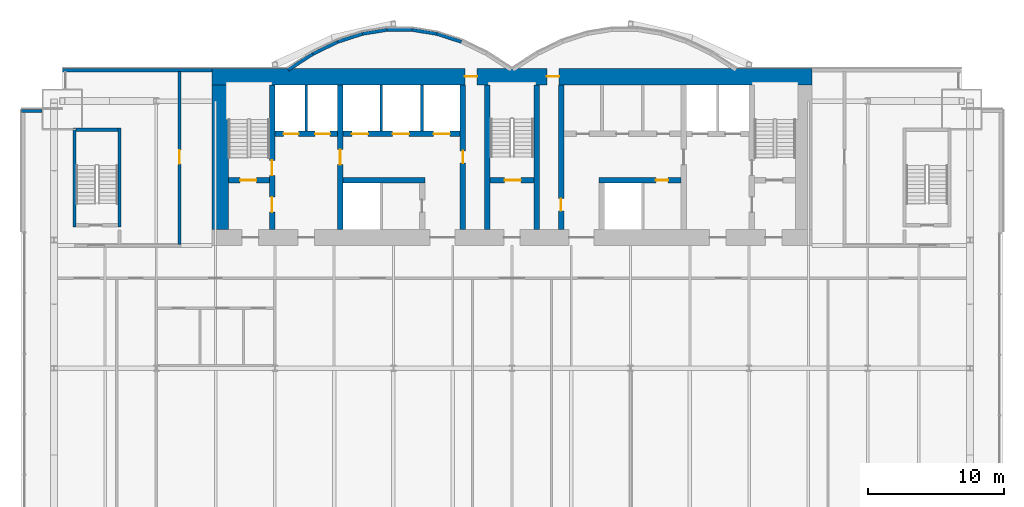
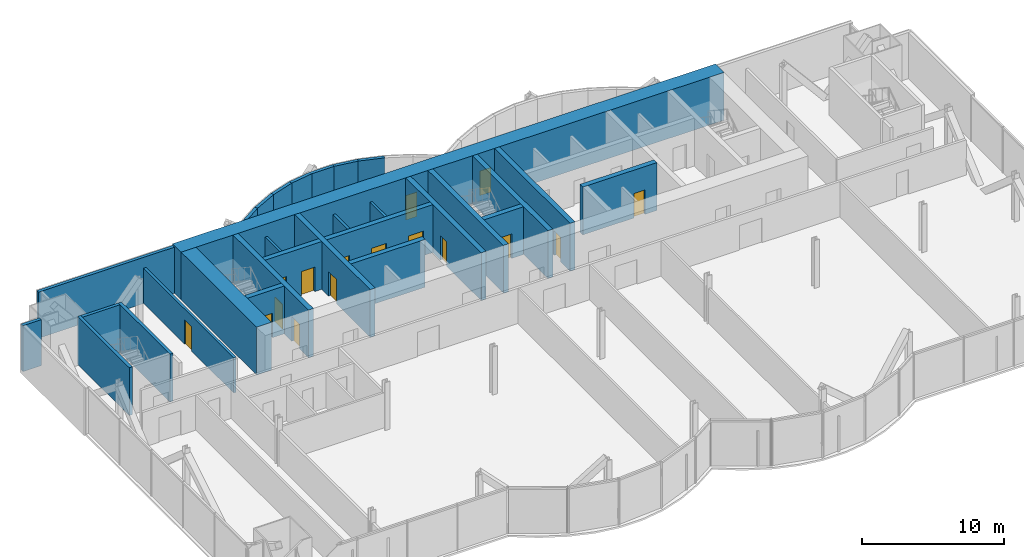
# One storey, part 16 of 21: 29 walls, 16 doors, 16 openings.
"""IFC4 building model written with IfcOpenShell, lengths in metres."""

from ifc_helpers import new_model, si_unit, direction, frame, frame_2d, origin, place, context, subcontext, project, spatial, rectangle, extrude, material, layer, layer_set, layer_usage, type_object, element, fill, save


model = new_model("IFC4")

# Units and contexts
model_context = context("Model", 3, precision=1e-05, world=origin(), true_north=direction((0.0, 1.0)))
body_context = subcontext(model_context, "Body", "Model", "MODEL_VIEW")
ifc_project = project(units=[si_unit("LENGTHUNIT", "METRE"), si_unit("AREAUNIT", "SQUARE_METRE"), si_unit("VOLUMEUNIT", "CUBIC_METRE"), si_unit("PLANEANGLEUNIT", "RADIAN"), si_unit("MASSUNIT", "GRAM", prefix="KILO")], contexts=[model_context])

# Site, building, storey
site_placement = place(None, origin())
site = spatial("IfcSite", under=ifc_project, at=site_placement, CompositionType="ELEMENT")
building_placement = place(site_placement, origin())
building = spatial("IfcBuilding", under=site, at=building_placement, Name="Bicima Exchange Tower", CompositionType="ELEMENT")
storey_placement = place(building_placement, frame((0.0, 0.0, 114.5)))
storey = spatial("IfcBuildingStorey", under=building, at=storey_placement, Name="L24", CompositionType="ELEMENT", Elevation=114.5)

# Walls
ifc_material_1 = material(Name="Gypsum board partition")
ifc_layer_1 = layer(ifc_material_1, 0.199951171875)
ifc_layer_set_1 = layer_set([ifc_layer_1], Name="Gypsum board partition")
wall_type_1 = type_object("IfcWallType", Name="Fire-rated gypsum partition 200 EI120", PredefinedType="PARTITIONING", material=ifc_layer_set_1)
for number, where, z_axis, x_axis, name in (
    (1, (-15.10009765625, -4.60009765625, 0.0), (0.0, 0.0, 1.0), (0.0, 1.0, 0.0), "partition wall 9"),
    (2, (-9.60009765625, -4.60009765625, 0.0), (0.0, 0.0, 1.0), (0.0, 1.0, 0.0), "partition wall 12"),
    (3, (-6.60009765625, -4.60009765625, 0.0), (0.0, 0.0, 1.0), (0.0, 1.0, 0.0), "partition wall 14"),
):
    element("IfcWall", number, at=place(storey_placement, frame(where, z_axis=z_axis, x_axis=x_axis)), inside=storey, type_object=wall_type_1, Name=name, PredefinedType="PARTITIONING", context=body_context, shape_type="SweptSolid", body=[
        extrude(rectangle(XDim=3.400146484375, YDim=0.199951171875, at=frame_2d((1.7001953125, 0.0))), origin(), (0.0, 0.0, 1.0), 3.018310546875),
    ])

# Wall, opening, door
ifc_layer_2 = layer(ifc_material_1, 0.199951171875)
ifc_layer_set_2 = layer_set([ifc_layer_2], Name="Gypsum board partition")
wall_type_2 = type_object("IfcWallType", Name="Fire-rated gypsum partition 200 EI60", PredefinedType="PARTITIONING", material=ifc_layer_set_2)
wall_1_placement = place(storey_placement, frame((-24.39990234375, -12.89990234375, 0.0), z_axis=(0.0, 0.0, 1.0), x_axis=(0.0, 1.0, 0.0)))
wall_1 = element("IfcWall", 4, at=wall_1_placement, inside=storey, type_object=wall_type_2, Name="partition wall 16", PredefinedType="PARTITIONING", context=body_context, shape_type="SweptSolid", body=[
    extrude(rectangle(XDim=12.68994140625, YDim=0.199951171875, at=frame_2d((6.344970703125, 0.0))), origin(), (0.0, 0.0, 1.0), 3.018310546875),
])
opening_1_placement = place(wall_1_placement, frame((5.89990234375, 0.0, 0.0)))
opening_1 = element("IfcOpeningElement", 5, at=opening_1_placement, cuts=wall_1, Name="Opening L24-005", PredefinedType="OPENING", context=body_context, shape_type="SweptSolid", body=[
    extrude(rectangle(XDim=1.0, YDim=2.10009765625, at=frame_2d((0.5, 1.050048828125))), frame((0.0, 0.11181640625, 0.0), z_axis=(0.0, -1.0, 0.0), x_axis=(1.0, 0.0, 0.0)), (0.0, 0.0, 1.0), 0.223876953125),
])
ifc_material_2 = material(Name="Steel fire door leaf", Category="steel")
door_type_1 = type_object("IfcDoorType", Name="Door 1000 swing FD30S", OperationType="SINGLE_SWING_LEFT", PredefinedType="DOOR", material=ifc_material_2)
door_1_placement = place(opening_1_placement, origin())
door_1 = element("IfcDoor", 6, at=door_1_placement, inside=storey, type_object=door_type_1, Name="Door", OperationType="SINGLE_SWING_LEFT", OverallHeight=2.10009765625, OverallWidth=1.0, PredefinedType="DOOR", context=body_context, shape_type="SweptSolid", body=[
    extrude(rectangle(XDim=1.0, YDim=2.10009765625, at=frame_2d((0.5, 1.050048828125))), frame((0.0, 0.02490234375, 0.0), z_axis=(0.0, -1.0, 0.0), x_axis=(1.0, 0.0, 0.0)), (0.0, 0.0, 1.0), 0.050048828125),
])
fill(opening_1, door_1)

# Wall, openings, doors
ifc_material_3 = material(Name="Concrete C60/75", Category="concrete")
ifc_layer_3 = layer(ifc_material_3, 1.199951171875)
ifc_layer_set_3 = layer_set([ifc_layer_3], Name="Concrete C60/75")
wall_type_3 = type_object("IfcWallType", Name="RC core wall 1200 C60/75", PredefinedType="SHEAR", material=ifc_layer_set_3)
wall_2_placement = place(storey_placement, frame((-22.0, -0.60009765625, 0.0), z_axis=(0.0, 0.0, 1.0), x_axis=(1.0, 0.0, 0.0)))
wall_2 = element("IfcWall", 7, at=wall_2_placement, inside=storey, type_object=wall_type_3, Name="Core wall north", PredefinedType="SHEAR", context=body_context, shape_type="SweptSolid", body=[
    extrude(rectangle(XDim=44.0, YDim=1.199951171875, at=frame_2d((22.0, 0.0))), origin(), (0.0, 0.0, 1.0), 4.10009765625),
])
opening_2_placement = place(wall_2_placement, frame((18.550048828125, 0.0, 0.0)))
opening_2 = element("IfcOpeningElement", 8, at=opening_2_placement, cuts=wall_2, Name="Opening L24-C17", PredefinedType="OPENING", context=body_context, shape_type="SweptSolid", body=[
    extrude(rectangle(XDim=0.89990234375, YDim=2.10009765625, at=frame_2d((0.449951171875, 1.050048828125))), frame((0.0, 0.61181640625, 0.0), z_axis=(0.0, -1.0, 0.0), x_axis=(1.0, 0.0, 0.0)), (0.0, 0.0, 1.0), 1.223876953125),
])
opening_3_placement = place(wall_2_placement, frame((24.550048828125, 0.0, 0.0)))
opening_3 = element("IfcOpeningElement", 9, at=opening_3_placement, cuts=wall_2, Name="Opening L24-C18", PredefinedType="OPENING", context=body_context, shape_type="SweptSolid", body=[
    extrude(rectangle(XDim=0.89990234375, YDim=2.10009765625, at=frame_2d((0.449951171875, 1.050048828125))), frame((0.0, 0.61181640625, 0.0), z_axis=(0.0, -1.0, 0.0), x_axis=(1.0, 0.0, 0.0)), (0.0, 0.0, 1.0), 1.223876953125),
])
door_type_2 = type_object("IfcDoorType", Name="Door 900 swing FD30S", OperationType="SINGLE_SWING_LEFT", PredefinedType="DOOR", material=ifc_material_2)
door_2_placement = place(opening_2_placement, origin())
door_2 = element("IfcDoor", 10, at=door_2_placement, inside=storey, type_object=door_type_2, Name="Core door", OperationType="SINGLE_SWING_LEFT", OverallHeight=2.10009765625, OverallWidth=0.89990234375, PredefinedType="DOOR", context=body_context, shape_type="SweptSolid", body=[
    extrude(rectangle(XDim=0.89990234375, YDim=2.10009765625, at=frame_2d((0.449951171875, 1.050048828125))), frame((0.0, 0.02490234375, 0.0), z_axis=(0.0, -1.0, 0.0), x_axis=(1.0, 0.0, 0.0)), (0.0, 0.0, 1.0), 0.050048828125),
])
fill(opening_2, door_2)
door_3_placement = place(opening_3_placement, origin())
door_3 = element("IfcDoor", 11, at=door_3_placement, inside=storey, type_object=door_type_2, Name="Core door", OperationType="SINGLE_SWING_LEFT", OverallHeight=2.10009765625, OverallWidth=0.89990234375, PredefinedType="DOOR", context=body_context, shape_type="SweptSolid", body=[
    extrude(rectangle(XDim=0.89990234375, YDim=2.10009765625, at=frame_2d((0.449951171875, 1.050048828125))), frame((0.0, 0.02490234375, 0.0), z_axis=(0.0, -1.0, 0.0), x_axis=(1.0, 0.0, 0.0)), (0.0, 0.0, 1.0), 0.050048828125),
])
fill(opening_3, door_3)

# Wall
wall_3_placement = place(storey_placement, frame((-21.39990234375, -11.800048828125, 0.0), z_axis=(0.0, 0.0, 1.0), x_axis=(0.0, 1.0, 0.0)))
element("IfcWall", 12, at=wall_3_placement, inside=storey, type_object=wall_type_3, Name="Core wall west", PredefinedType="SHEAR", context=body_context, shape_type="SweptSolid", body=[
    extrude(rectangle(XDim=10.60009765625, YDim=1.199951171875, at=frame_2d((5.300048828125, 0.0))), origin(), (0.0, 0.0, 1.0), 4.10009765625),
])

# Wall, opening, door
ifc_material_4 = material(Name="Concrete C50/60", Category="concrete")
ifc_layer_4 = layer(ifc_material_4, 0.39990234375)
ifc_layer_set_4 = layer_set([ifc_layer_4], Name="Concrete C50/60")
wall_type_4 = type_object("IfcWallType", Name="RC core wall 400 C50/60", PredefinedType="SHEAR", material=ifc_layer_set_4)
wall_4_placement = place(storey_placement, frame((-20.800048828125, -8.199951171875, 0.0), z_axis=(0.0, 0.0, 1.0), x_axis=(1.0, 0.0, 0.0)))
wall_4 = element("IfcWall", 13, at=wall_4_placement, inside=storey, type_object=wall_type_4, Name="stair wall 1", PredefinedType="SHEAR", context=body_context, shape_type="SweptSolid", body=[
    extrude(rectangle(XDim=3.0, YDim=0.39990234375, at=frame_2d((1.5, 0.0))), origin(), (0.0, 0.0, 1.0), 4.10009765625),
])
opening_4_placement = place(wall_4_placement, frame((0.85009765625, 0.0, 0.0)))
opening_4 = element("IfcOpeningElement", 14, at=opening_4_placement, cuts=wall_4, Name="Opening L24-C01", PredefinedType="OPENING", context=body_context, shape_type="SweptSolid", body=[
    extrude(rectangle(XDim=1.199951171875, YDim=2.10009765625, at=frame_2d((0.60009765625, 1.050048828125))), frame((0.0, 0.2119140625, 0.0), z_axis=(0.0, -1.0, 0.0), x_axis=(1.0, 0.0, 0.0)), (0.0, 0.0, 1.0), 0.423828125),
])
door_type_3 = type_object("IfcDoorType", Name="Door 1200 swing FD60S", OperationType="SINGLE_SWING_LEFT", PredefinedType="DOOR", material=ifc_material_2)
door_4_placement = place(opening_4_placement, origin())
door_4 = element("IfcDoor", 15, at=door_4_placement, inside=storey, type_object=door_type_3, Name="Core door", OperationType="SINGLE_SWING_LEFT", OverallHeight=2.10009765625, OverallWidth=1.199951171875, PredefinedType="DOOR", context=body_context, shape_type="SweptSolid", body=[
    extrude(rectangle(XDim=1.199951171875, YDim=2.10009765625, at=frame_2d((0.60009765625, 1.050048828125))), frame((0.0, 0.02490234375, 0.0), z_axis=(0.0, -1.0, 0.0), x_axis=(1.0, 0.0, 0.0)), (0.0, 0.0, 1.0), 0.050048828125),
])
fill(opening_4, door_4)

wall_5_placement = place(storey_placement, frame((-1.60009765625, -8.199951171875, 0.0), z_axis=(0.0, 0.0, 1.0), x_axis=(1.0, 0.0, 0.0)))
wall_5 = element("IfcWall", 16, at=wall_5_placement, inside=storey, type_object=wall_type_4, Name="stair wall 3", PredefinedType="SHEAR", context=body_context, shape_type="SweptSolid", body=[
    extrude(rectangle(XDim=3.2001953125, YDim=0.39990234375, at=frame_2d((1.60009765625, 0.0))), origin(), (0.0, 0.0, 1.0), 4.10009765625),
])
opening_5_placement = place(wall_5_placement, frame((1.050048828125, 0.0, 0.0)))
opening_5 = element("IfcOpeningElement", 17, at=opening_5_placement, cuts=wall_5, Name="Opening L24-C03", PredefinedType="OPENING", context=body_context, shape_type="SweptSolid", body=[
    extrude(rectangle(XDim=1.199951171875, YDim=2.10009765625, at=frame_2d((0.60009765625, 1.050048828125))), frame((0.0, 0.2119140625, 0.0), z_axis=(0.0, -1.0, 0.0), x_axis=(1.0, 0.0, 0.0)), (0.0, 0.0, 1.0), 0.423828125),
])
door_5_placement = place(opening_5_placement, origin())
door_5 = element("IfcDoor", 18, at=door_5_placement, inside=storey, type_object=door_type_3, Name="Core door", OperationType="SINGLE_SWING_LEFT", OverallHeight=2.10009765625, OverallWidth=1.199951171875, PredefinedType="DOOR", context=body_context, shape_type="SweptSolid", body=[
    extrude(rectangle(XDim=1.199951171875, YDim=2.10009765625, at=frame_2d((0.60009765625, 1.050048828125))), frame((0.0, 0.02490234375, 0.0), z_axis=(0.0, -1.0, 0.0), x_axis=(1.0, 0.0, 0.0)), (0.0, 0.0, 1.0), 0.050048828125),
])
fill(opening_5, door_5)

# Wall, openings, doors
wall_6_placement = place(storey_placement, frame((-17.60009765625, -11.800048828125, 0.0), z_axis=(0.0, 0.0, 1.0), x_axis=(0.0, 1.0, 0.0)))
wall_6 = element("IfcWall", 19, at=wall_6_placement, inside=storey, type_object=wall_type_4, Name="stair wall 8", PredefinedType="SHEAR", context=body_context, shape_type="SweptSolid", body=[
    extrude(rectangle(XDim=10.60009765625, YDim=0.39990234375, at=frame_2d((5.300048828125, 0.0))), origin(), (0.0, 0.0, 1.0), 4.10009765625),
])
opening_6_placement = place(wall_6_placement, frame((1.25, 0.0, 0.0)))
opening_6 = element("IfcOpeningElement", 20, at=opening_6_placement, cuts=wall_6, Name="Opening L24-C02", PredefinedType="OPENING", context=body_context, shape_type="SweptSolid", body=[
    extrude(rectangle(XDim=1.10009765625, YDim=2.10009765625, at=frame_2d((0.550048828125, 1.050048828125))), frame((0.0, 0.2119140625, 0.0), z_axis=(0.0, -1.0, 0.0), x_axis=(1.0, 0.0, 0.0)), (0.0, 0.0, 1.0), 0.423828125),
])
opening_7_placement = place(wall_6_placement, frame((3.949951171875, 0.0, 0.0)))
opening_7 = element("IfcOpeningElement", 21, at=opening_7_placement, cuts=wall_6, Name="Opening L24-C06", PredefinedType="OPENING", context=body_context, shape_type="SweptSolid", body=[
    extrude(rectangle(XDim=1.10009765625, YDim=2.10009765625, at=frame_2d((0.550048828125, 1.050048828125))), frame((0.0, 0.2119140625, 0.0), z_axis=(0.0, -1.0, 0.0), x_axis=(1.0, 0.0, 0.0)), (0.0, 0.0, 1.0), 0.423828125),
])
door_type_4 = type_object("IfcDoorType", Name="Door 1100 swing FD60S", OperationType="SINGLE_SWING_LEFT", PredefinedType="DOOR", material=ifc_material_2)
door_6_placement = place(opening_6_placement, frame((1.10009765625, 0.0, 0.0), z_axis=(0.0, 0.0, 1.0), x_axis=(-1.0, 0.0, 0.0)))
door_6 = element("IfcDoor", 22, at=door_6_placement, inside=storey, type_object=door_type_4, Name="Core door", OperationType="SINGLE_SWING_LEFT", OverallHeight=2.10009765625, OverallWidth=1.10009765625, PredefinedType="DOOR", context=body_context, shape_type="SweptSolid", body=[
    extrude(rectangle(XDim=1.10009765625, YDim=2.10009765625, at=frame_2d((0.550048828125, 1.050048828125))), frame((0.0, 0.02490234375, 0.0), z_axis=(0.0, -1.0, 0.0), x_axis=(1.0, 0.0, 0.0)), (0.0, 0.0, 1.0), 0.050048828125),
])
fill(opening_6, door_6)
door_7_placement = place(opening_7_placement, frame((1.10009765625, 0.0, 0.0), z_axis=(0.0, 0.0, 1.0), x_axis=(-1.0, 0.0, 0.0)))
door_7 = element("IfcDoor", 23, at=door_7_placement, inside=storey, type_object=door_type_4, Name="Core door", OperationType="SINGLE_SWING_LEFT", OverallHeight=2.10009765625, OverallWidth=1.10009765625, PredefinedType="DOOR", context=body_context, shape_type="SweptSolid", body=[
    extrude(rectangle(XDim=1.10009765625, YDim=2.10009765625, at=frame_2d((0.550048828125, 1.050048828125))), frame((0.0, 0.02490234375, 0.0), z_axis=(0.0, -1.0, 0.0), x_axis=(1.0, 0.0, 0.0)), (0.0, 0.0, 1.0), 0.050048828125),
])
fill(opening_7, door_7)

# Walls
for number, where, z_axis, x_axis, name in (
    (24, (-1.800048828125, -11.800048828125, 0.0), (0.0, 0.0, 1.0), (0.0, 1.0, 0.0), "stair wall 16"),
    (25, (1.800048828125, -11.800048828125, 0.0), (0.0, 0.0, 1.0), (0.0, 1.0, 0.0), "stair wall 17"),
):
    element("IfcWall", number, at=place(storey_placement, frame(where, z_axis=z_axis, x_axis=x_axis)), inside=storey, type_object=wall_type_4, Name=name, PredefinedType="SHEAR", context=body_context, shape_type="SweptSolid", body=[
        extrude(rectangle(XDim=10.60009765625, YDim=0.39990234375, at=frame_2d((5.300048828125, 0.0))), origin(), (0.0, 0.0, 1.0), 4.10009765625),
    ])
ifc_layer_5 = layer(ifc_material_3, 0.39990234375)
ifc_layer_set_5 = layer_set([ifc_layer_5], Name="Concrete C60/75")
wall_type_5 = type_object("IfcWallType", Name="RC core wall 400 C60/75", PredefinedType="SHEAR", material=ifc_layer_set_5)
wall_7_placement = place(storey_placement, frame((-12.39990234375, -8.199951171875, 0.0), z_axis=(0.0, 0.0, 1.0), x_axis=(1.0, 0.0, 0.0)))
element("IfcWall", 26, at=wall_7_placement, inside=storey, type_object=wall_type_5, Name="shear wall 2", PredefinedType="SHEAR", context=body_context, shape_type="SweptSolid", body=[
    extrude(rectangle(XDim=6.0, YDim=0.39990234375, at=frame_2d((3.0, 0.0))), origin(), (0.0, 0.0, 1.0), 4.10009765625),
])

# Wall, opening, door
wall_8_placement = place(storey_placement, frame((6.39990234375, -8.199951171875, 0.0), z_axis=(0.0, 0.0, 1.0), x_axis=(1.0, 0.0, 0.0)))
wall_8 = element("IfcWall", 27, at=wall_8_placement, inside=storey, type_object=wall_type_5, Name="shear wall 4", PredefinedType="SHEAR", context=body_context, shape_type="SweptSolid", body=[
    extrude(rectangle(XDim=6.0, YDim=0.39990234375, at=frame_2d((3.0, 0.0))), origin(), (0.0, 0.0, 1.0), 4.10009765625),
])
opening_8_placement = place(wall_8_placement, frame((4.14990234375, 0.0, 0.0)))
opening_8 = element("IfcOpeningElement", 28, at=opening_8_placement, cuts=wall_8, Name="Opening L24-C16", PredefinedType="OPENING", context=body_context, shape_type="SweptSolid", body=[
    extrude(rectangle(XDim=0.89990234375, YDim=2.10009765625, at=frame_2d((0.449951171875, 1.050048828125))), frame((0.0, 0.2119140625, 0.0), z_axis=(0.0, -1.0, 0.0), x_axis=(1.0, 0.0, 0.0)), (0.0, 0.0, 1.0), 0.423828125),
])
door_8_placement = place(opening_8_placement, frame((0.89990234375, 0.0, 0.0), z_axis=(0.0, 0.0, 1.0), x_axis=(-1.0, 0.0, 0.0)))
door_8 = element("IfcDoor", 29, at=door_8_placement, inside=storey, type_object=door_type_2, Name="Core door", OperationType="SINGLE_SWING_LEFT", OverallHeight=2.10009765625, OverallWidth=0.89990234375, PredefinedType="DOOR", context=body_context, shape_type="SweptSolid", body=[
    extrude(rectangle(XDim=0.89990234375, YDim=2.10009765625, at=frame_2d((0.449951171875, 1.050048828125))), frame((0.0, 0.02490234375, 0.0), z_axis=(0.0, -1.0, 0.0), x_axis=(1.0, 0.0, 0.0)), (0.0, 0.0, 1.0), 0.050048828125),
])
fill(opening_8, door_8)

# Wall, openings, doors
wall_9_placement = place(storey_placement, frame((-17.39990234375, -4.800048828125, 0.0), z_axis=(0.0, 0.0, 1.0), x_axis=(1.0, 0.0, 0.0)))
wall_9 = element("IfcWall", 30, at=wall_9_placement, inside=storey, type_object=wall_type_5, Name="shear wall 6", PredefinedType="SHEAR", context=body_context, shape_type="SweptSolid", body=[
    extrude(rectangle(XDim=13.599853515625, YDim=0.39990234375, at=frame_2d((6.7998046875, 0.0))), origin(), (0.0, 0.0, 1.0), 4.10009765625),
])
opening_9_placement = place(wall_9_placement, frame((0.64990234375, 0.0, 0.0)))
opening_9 = element("IfcOpeningElement", 31, at=opening_9_placement, cuts=wall_9, Name="Opening LD-FF1-L24", PredefinedType="OPENING", context=body_context, shape_type="SweptSolid", body=[
    extrude(rectangle(XDim=1.10009765625, YDim=2.10009765625, at=frame_2d((0.550048828125, 1.050048828125))), frame((0.0, 0.2119140625, 0.0), z_axis=(0.0, -1.0, 0.0), x_axis=(1.0, 0.0, 0.0)), (0.0, 0.0, 1.0), 0.423828125),
])
opening_10_placement = place(wall_9_placement, frame((2.949951171875, 0.0, 0.0)))
opening_10 = element("IfcOpeningElement", 32, at=opening_10_placement, cuts=wall_9, Name="Opening LD-FF3-L24", PredefinedType="OPENING", context=body_context, shape_type="SweptSolid", body=[
    extrude(rectangle(XDim=1.10009765625, YDim=2.10009765625, at=frame_2d((0.550048828125, 1.050048828125))), frame((0.0, 0.2119140625, 0.0), z_axis=(0.0, -1.0, 0.0), x_axis=(1.0, 0.0, 0.0)), (0.0, 0.0, 1.0), 0.423828125),
])
opening_11_placement = place(wall_9_placement, frame((5.64990234375, 0.0, 0.0)))
opening_11 = element("IfcOpeningElement", 33, at=opening_11_placement, cuts=wall_9, Name="Opening LD-LB1-L24", PredefinedType="OPENING", context=body_context, shape_type="SweptSolid", body=[
    extrude(rectangle(XDim=1.199951171875, YDim=2.10009765625, at=frame_2d((0.60009765625, 1.050048828125))), frame((0.0, 0.2119140625, 0.0), z_axis=(0.0, -1.0, 0.0), x_axis=(1.0, 0.0, 0.0)), (0.0, 0.0, 1.0), 0.423828125),
])
opening_12_placement = place(wall_9_placement, frame((8.64990234375, 0.0, 0.0)))
opening_12 = element("IfcOpeningElement", 34, at=opening_12_placement, cuts=wall_9, Name="Opening LD-LB2-L24", PredefinedType="OPENING", context=body_context, shape_type="SweptSolid", body=[
    extrude(rectangle(XDim=1.199951171875, YDim=2.10009765625, at=frame_2d((0.60009765625, 1.050048828125))), frame((0.0, 0.2119140625, 0.0), z_axis=(0.0, -1.0, 0.0), x_axis=(1.0, 0.0, 0.0)), (0.0, 0.0, 1.0), 0.423828125),
])
opening_13_placement = place(wall_9_placement, frame((11.64990234375, 0.0, 0.0)))
opening_13 = element("IfcOpeningElement", 35, at=opening_13_placement, cuts=wall_9, Name="Opening LD-LB3-L24", PredefinedType="OPENING", context=body_context, shape_type="SweptSolid", body=[
    extrude(rectangle(XDim=1.199951171875, YDim=2.10009765625, at=frame_2d((0.60009765625, 1.050048828125))), frame((0.0, 0.2119140625, 0.0), z_axis=(0.0, -1.0, 0.0), x_axis=(1.0, 0.0, 0.0)), (0.0, 0.0, 1.0), 0.423828125),
])
ifc_material_5 = material(Name="Stainless steel", Category="steel")
door_type_5 = type_object("IfcDoorType", Name="Lift landing door 1100 sliding", OperationType="DOUBLE_DOOR_SLIDING", PredefinedType="DOOR", material=ifc_material_5)
door_9_placement = place(opening_9_placement, origin())
door_9 = element("IfcDoor", 36, at=door_9_placement, inside=storey, type_object=door_type_5, Name="Lift landing door FF1", OperationType="DOUBLE_DOOR_SLIDING", OverallHeight=2.10009765625, OverallWidth=1.10009765625, PredefinedType="DOOR", context=body_context, shape_type="SweptSolid", body=[
    extrude(rectangle(XDim=1.10009765625, YDim=2.10009765625, at=frame_2d((0.550048828125, 1.050048828125))), frame((0.0, 0.02490234375, 0.0), z_axis=(0.0, -1.0, 0.0), x_axis=(1.0, 0.0, 0.0)), (0.0, 0.0, 1.0), 0.050048828125),
])
fill(opening_9, door_9)
door_10_placement = place(opening_10_placement, origin())
door_10 = element("IfcDoor", 37, at=door_10_placement, inside=storey, type_object=door_type_5, Name="Lift landing door FF3", OperationType="DOUBLE_DOOR_SLIDING", OverallHeight=2.10009765625, OverallWidth=1.10009765625, PredefinedType="DOOR", context=body_context, shape_type="SweptSolid", body=[
    extrude(rectangle(XDim=1.10009765625, YDim=2.10009765625, at=frame_2d((0.550048828125, 1.050048828125))), frame((0.0, 0.02490234375, 0.0), z_axis=(0.0, -1.0, 0.0), x_axis=(1.0, 0.0, 0.0)), (0.0, 0.0, 1.0), 0.050048828125),
])
fill(opening_10, door_10)
door_type_6 = type_object("IfcDoorType", Name="Lift landing door 1200 sliding", OperationType="DOUBLE_DOOR_SLIDING", PredefinedType="DOOR", material=ifc_material_5)
door_11_placement = place(opening_11_placement, origin())
door_11 = element("IfcDoor", 38, at=door_11_placement, inside=storey, type_object=door_type_6, Name="Lift landing door LB1", OperationType="DOUBLE_DOOR_SLIDING", OverallHeight=2.10009765625, OverallWidth=1.199951171875, PredefinedType="DOOR", context=body_context, shape_type="SweptSolid", body=[
    extrude(rectangle(XDim=1.199951171875, YDim=2.10009765625, at=frame_2d((0.60009765625, 1.050048828125))), frame((0.0, 0.02490234375, 0.0), z_axis=(0.0, -1.0, 0.0), x_axis=(1.0, 0.0, 0.0)), (0.0, 0.0, 1.0), 0.050048828125),
])
fill(opening_11, door_11)
door_12_placement = place(opening_12_placement, origin())
door_12 = element("IfcDoor", 39, at=door_12_placement, inside=storey, type_object=door_type_6, Name="Lift landing door LB2", OperationType="DOUBLE_DOOR_SLIDING", OverallHeight=2.10009765625, OverallWidth=1.199951171875, PredefinedType="DOOR", context=body_context, shape_type="SweptSolid", body=[
    extrude(rectangle(XDim=1.199951171875, YDim=2.10009765625, at=frame_2d((0.60009765625, 1.050048828125))), frame((0.0, 0.02490234375, 0.0), z_axis=(0.0, -1.0, 0.0), x_axis=(1.0, 0.0, 0.0)), (0.0, 0.0, 1.0), 0.050048828125),
])
fill(opening_12, door_12)
door_13_placement = place(opening_13_placement, origin())
door_13 = element("IfcDoor", 40, at=door_13_placement, inside=storey, type_object=door_type_6, Name="Lift landing door LB3", OperationType="DOUBLE_DOOR_SLIDING", OverallHeight=2.10009765625, OverallWidth=1.199951171875, PredefinedType="DOOR", context=body_context, shape_type="SweptSolid", body=[
    extrude(rectangle(XDim=1.199951171875, YDim=2.10009765625, at=frame_2d((0.60009765625, 1.050048828125))), frame((0.0, 0.02490234375, 0.0), z_axis=(0.0, -1.0, 0.0), x_axis=(1.0, 0.0, 0.0)), (0.0, 0.0, 1.0), 0.050048828125),
])
fill(opening_13, door_13)

# Wall, opening, door
wall_10_placement = place(storey_placement, frame((-12.60009765625, -11.800048828125, 0.0), z_axis=(0.0, 0.0, 1.0), x_axis=(0.0, 1.0, 0.0)))
wall_10 = element("IfcWall", 41, at=wall_10_placement, inside=storey, type_object=wall_type_5, Name="shear wall 10", PredefinedType="SHEAR", context=body_context, shape_type="SweptSolid", body=[
    extrude(rectangle(XDim=10.60009765625, YDim=0.39990234375, at=frame_2d((5.300048828125, 0.0))), origin(), (0.0, 0.0, 1.0), 4.10009765625),
])
opening_14_placement = place(wall_10_placement, frame((4.75, 0.0, 0.0)))
opening_14 = element("IfcOpeningElement", 42, at=opening_14_placement, cuts=wall_10, Name="Opening L24-C07", PredefinedType="OPENING", context=body_context, shape_type="SweptSolid", body=[
    extrude(rectangle(XDim=1.10009765625, YDim=2.10009765625, at=frame_2d((0.550048828125, 1.050048828125))), frame((0.0, 0.2119140625, 0.0), z_axis=(0.0, -1.0, 0.0), x_axis=(1.0, 0.0, 0.0)), (0.0, 0.0, 1.0), 0.423828125),
])
door_14_placement = place(opening_14_placement, origin())
door_14 = element("IfcDoor", 43, at=door_14_placement, inside=storey, type_object=door_type_4, Name="Core door", OperationType="SINGLE_SWING_LEFT", OverallHeight=2.10009765625, OverallWidth=1.10009765625, PredefinedType="DOOR", context=body_context, shape_type="SweptSolid", body=[
    extrude(rectangle(XDim=1.10009765625, YDim=2.10009765625, at=frame_2d((0.550048828125, 1.050048828125))), frame((0.0, 0.02490234375, 0.0), z_axis=(0.0, -1.0, 0.0), x_axis=(1.0, 0.0, 0.0)), (0.0, 0.0, 1.0), 0.050048828125),
])
fill(opening_14, door_14)

wall_11_placement = place(storey_placement, frame((-3.60009765625, -11.800048828125, 0.0), z_axis=(0.0, 0.0, 1.0), x_axis=(0.0, 1.0, 0.0)))
wall_11 = element("IfcWall", 44, at=wall_11_placement, inside=storey, type_object=wall_type_5, Name="shear wall 15", PredefinedType="SHEAR", context=body_context, shape_type="SweptSolid", body=[
    extrude(rectangle(XDim=10.60009765625, YDim=0.39990234375, at=frame_2d((5.300048828125, 0.0))), origin(), (0.0, 0.0, 1.0), 4.10009765625),
])
opening_15_placement = place(wall_11_placement, frame((4.85009765625, 0.0, 0.0)))
opening_15 = element("IfcOpeningElement", 45, at=opening_15_placement, cuts=wall_11, Name="Opening L24-C10", PredefinedType="OPENING", context=body_context, shape_type="SweptSolid", body=[
    extrude(rectangle(XDim=0.89990234375, YDim=2.10009765625, at=frame_2d((0.449951171875, 1.050048828125))), frame((0.0, 0.2119140625, 0.0), z_axis=(0.0, -1.0, 0.0), x_axis=(1.0, 0.0, 0.0)), (0.0, 0.0, 1.0), 0.423828125),
])
door_15_placement = place(opening_15_placement, frame((0.89990234375, 0.0, 0.0), z_axis=(0.0, 0.0, 1.0), x_axis=(-1.0, 0.0, 0.0)))
door_15 = element("IfcDoor", 46, at=door_15_placement, inside=storey, type_object=door_type_2, Name="Core door", OperationType="SINGLE_SWING_LEFT", OverallHeight=2.10009765625, OverallWidth=0.89990234375, PredefinedType="DOOR", context=body_context, shape_type="SweptSolid", body=[
    extrude(rectangle(XDim=0.89990234375, YDim=2.10009765625, at=frame_2d((0.449951171875, 1.050048828125))), frame((0.0, 0.02490234375, 0.0), z_axis=(0.0, -1.0, 0.0), x_axis=(1.0, 0.0, 0.0)), (0.0, 0.0, 1.0), 0.050048828125),
])
fill(opening_15, door_15)

wall_12_placement = place(storey_placement, frame((3.60009765625, -11.800048828125, 0.0), z_axis=(0.0, 0.0, 1.0), x_axis=(0.0, 1.0, 0.0)))
wall_12 = element("IfcWall", 47, at=wall_12_placement, inside=storey, type_object=wall_type_5, Name="shear wall 18", PredefinedType="SHEAR", context=body_context, shape_type="SweptSolid", body=[
    extrude(rectangle(XDim=10.60009765625, YDim=0.39990234375, at=frame_2d((5.300048828125, 0.0))), origin(), (0.0, 0.0, 1.0), 4.10009765625),
])
opening_16_placement = place(wall_12_placement, frame((1.35009765625, 0.0, 0.0)))
opening_16 = element("IfcOpeningElement", 48, at=opening_16_placement, cuts=wall_12, Name="Opening L24-C11", PredefinedType="OPENING", context=body_context, shape_type="SweptSolid", body=[
    extrude(rectangle(XDim=0.89990234375, YDim=2.10009765625, at=frame_2d((0.449951171875, 1.050048828125))), frame((0.0, 0.2119140625, 0.0), z_axis=(0.0, -1.0, 0.0), x_axis=(1.0, 0.0, 0.0)), (0.0, 0.0, 1.0), 0.423828125),
])
door_16_placement = place(opening_16_placement, origin())
door_16 = element("IfcDoor", 49, at=door_16_placement, inside=storey, type_object=door_type_2, Name="Core door", OperationType="SINGLE_SWING_LEFT", OverallHeight=2.10009765625, OverallWidth=0.89990234375, PredefinedType="DOOR", context=body_context, shape_type="SweptSolid", body=[
    extrude(rectangle(XDim=0.89990234375, YDim=2.10009765625, at=frame_2d((0.449951171875, 1.050048828125))), frame((0.0, 0.02490234375, 0.0), z_axis=(0.0, -1.0, 0.0), x_axis=(1.0, 0.0, 0.0)), (0.0, 0.0, 1.0), 0.050048828125),
])
fill(opening_16, door_16)

# Walls
ifc_layer_6 = layer(ifc_material_4, 0.25)
ifc_layer_set_6 = layer_set([ifc_layer_6], Name="Concrete C50/60")
wall_type_6 = type_object("IfcWallType", Name="RC stair enclosure wall 250 C50/60", PredefinedType="SHEAR", material=ifc_layer_set_6)
for number, where, z_axis, x_axis, name in (
    (50, (-32.10009765625, -11.625, 0.0), (0.0, 0.0, 1.0), (0.0, 1.0, 0.0), "West end exit stair wall W"),
    (51, (-28.800048828125, -11.625, 0.0), (0.0, 0.0, 1.0), (0.0, 1.0, 0.0), "West end exit stair wall E"),
):
    element("IfcWall", number, at=place(storey_placement, frame(where, z_axis=z_axis, x_axis=x_axis)), inside=storey, type_object=wall_type_6, Name=name, PredefinedType="SHEAR", context=body_context, shape_type="SweptSolid", body=[
        extrude(rectangle(XDim=7.25, YDim=0.25, at=frame_2d((3.625, 0.0))), origin(), (0.0, 0.0, 1.0), 4.10009765625),
    ])
wall_13_placement = place(storey_placement, frame((-31.97509765625, -4.5, 0.0), z_axis=(0.0, 0.0, 1.0), x_axis=(1.0, 0.0, 0.0)))
element("IfcWall", 52, at=wall_13_placement, inside=storey, type_object=wall_type_6, Name="West end exit stair wall N", PredefinedType="SHEAR", context=body_context, shape_type="SweptSolid", body=[
    extrude(rectangle(XDim=3.050048828125, YDim=0.25, at=frame_2d((1.52490234375, 0.0))), origin(), (0.0, 0.0, 1.0), 4.10009765625),
])
ifc_material_6 = material(Name="Concrete C40/50", Category="concrete")
ifc_layer_7 = layer(ifc_material_6, 0.25)
ifc_layer_set_7 = layer_set([ifc_layer_7], Name="Concrete C40/50")
ifc_layer_usage = layer_usage(ifc_layer_set_7, "AXIS2", "POSITIVE", -0.125)
wall_type_7 = type_object("IfcWallType", Name="Rear backup wall 250", PredefinedType="STANDARD", material=ifc_layer_set_7)
wall_14_placement = place(storey_placement, frame((-3.705078125, 1.955078125, 0.0), z_axis=(0.0, 0.0, 1.0), x_axis=(-0.951495806175, 0.307661714928, 0.0)))
element("IfcWall", 53, at=wall_14_placement, inside=storey, type_object=wall_type_7, material=ifc_layer_usage, Name="Rear backup wall L24 13", PredefinedType="STANDARD", context=body_context, shape_type="SweptSolid", body=[
    extrude(rectangle(XDim=1.9267578125, YDim=0.25, at=frame_2d((0.96337890625, 0.0))), origin(), (0.0, 0.0, 1.0), 3.949951171875),
])
wall_15_placement = place(storey_placement, frame((-5.52001953125, 2.543212890625, 0.0), z_axis=(0.0, 0.0, 1.0), x_axis=(-0.987181718931, 0.159600293885, 0.0)))
element("IfcWall", 54, at=wall_15_placement, inside=storey, type_object=wall_type_7, material=ifc_layer_usage, Name="Rear backup wall L24 14", PredefinedType="STANDARD", context=body_context, shape_type="SweptSolid", body=[
    extrude(rectangle(XDim=1.857177734375, YDim=0.25, at=frame_2d((0.9287109375, 0.0))), origin(), (0.0, 0.0, 1.0), 3.949951171875),
])
wall_16_placement = place(storey_placement, frame((-7.333251953125, 2.837890625, 0.0), z_axis=(0.0, 0.0, 1.0), x_axis=(-1.0, 0.0, 0.0)))
element("IfcWall", 55, at=wall_16_placement, inside=storey, type_object=wall_type_7, material=ifc_layer_usage, Name="Rear backup wall L24 15", PredefinedType="STANDARD", context=body_context, shape_type="SweptSolid", body=[
    extrude(rectangle(XDim=1.83349609375, YDim=0.25, at=frame_2d((0.916748046875, 0.0))), origin(), (0.0, 0.0, 1.0), 3.949951171875),
])
wall_17_placement = place(storey_placement, frame((-9.146728515625, 2.839599609375, 0.0), z_axis=(0.0, 0.0, 1.0), x_axis=(-0.987181718931, -0.159600293885, 0.0)))
element("IfcWall", 56, at=wall_17_placement, inside=storey, type_object=wall_type_7, material=ifc_layer_usage, Name="Rear backup wall L24 16", PredefinedType="STANDARD", context=body_context, shape_type="SweptSolid", body=[
    extrude(rectangle(XDim=1.857177734375, YDim=0.25, at=frame_2d((0.9287109375, 0.0))), origin(), (0.0, 0.0, 1.0), 3.949951171875),
])
wall_18_placement = place(storey_placement, frame((-10.961669921875, 2.5478515625, 0.0), z_axis=(0.0, 0.0, 1.0), x_axis=(-0.951495806175, -0.307661714928, 0.0)))
element("IfcWall", 57, at=wall_18_placement, inside=storey, type_object=wall_type_7, material=ifc_layer_usage, Name="Rear backup wall L24 17", PredefinedType="STANDARD", context=body_context, shape_type="SweptSolid", body=[
    extrude(rectangle(XDim=1.9267578125, YDim=0.25, at=frame_2d((0.96337890625, 0.0))), origin(), (0.0, 0.0, 1.0), 3.949951171875),
])
wall_19_placement = place(storey_placement, frame((-12.77880859375, 1.961669921875, 0.0), z_axis=(0.0, 0.0, 1.0), x_axis=(-0.89982408427, -0.436252928206, 0.0)))
element("IfcWall", 58, at=wall_19_placement, inside=storey, type_object=wall_type_7, material=ifc_layer_usage, Name="Rear backup wall L24 18", PredefinedType="STANDARD", context=body_context, shape_type="SweptSolid", body=[
    extrude(rectangle(XDim=2.03759765625, YDim=0.25, at=frame_2d((1.018798828125, 0.0))), origin(), (0.0, 0.0, 1.0), 3.949951171875),
])
wall_20_placement = place(storey_placement, frame((-14.598876953125, 1.080078125, 0.0), z_axis=(0.0, 0.0, 1.0), x_axis=(-0.83981312244, -0.542875602121, 0.0)))
element("IfcWall", 59, at=wall_20_placement, inside=storey, type_object=wall_type_7, material=ifc_layer_usage, Name="Rear backup wall L24 19", PredefinedType="STANDARD", context=body_context, shape_type="SweptSolid", body=[
    extrude(rectangle(XDim=2.182861328125, YDim=0.25, at=frame_2d((1.09130859375, 0.0))), origin(), (0.0, 0.0, 1.0), 3.949951171875),
])
wall_21_placement = place(storey_placement, frame((-22.0, -0.125, 0.0), z_axis=(0.0, 0.0, 1.0), x_axis=(-1.0, 0.0, 0.0)))
element("IfcWall", 60, at=wall_21_placement, inside=storey, type_object=wall_type_7, material=ifc_layer_usage, Name="Rear backup wall L24 20", PredefinedType="STANDARD", context=body_context, shape_type="SweptSolid", body=[
    extrude(rectangle(XDim=11.0, YDim=0.25, at=frame_2d((5.5, 0.0))), origin(), (0.0, 0.0, 1.0), 3.949951171875),
])
wall_22_placement = place(storey_placement, frame((-34.5, -3.125, 0.0), z_axis=(0.0, 0.0, 1.0), x_axis=(-1.0, 0.0, 0.0)))
element("IfcWall", 61, at=wall_22_placement, inside=storey, type_object=wall_type_7, material=ifc_layer_usage, Name="Rear backup wall L24 22", PredefinedType="STANDARD", context=body_context, shape_type="SweptSolid", body=[
    extrude(rectangle(XDim=1.5, YDim=0.25, at=frame_2d((0.75, 0.0))), origin(), (0.0, 0.0, 1.0), 3.949951171875),
])

save(model, "model.ifc")
